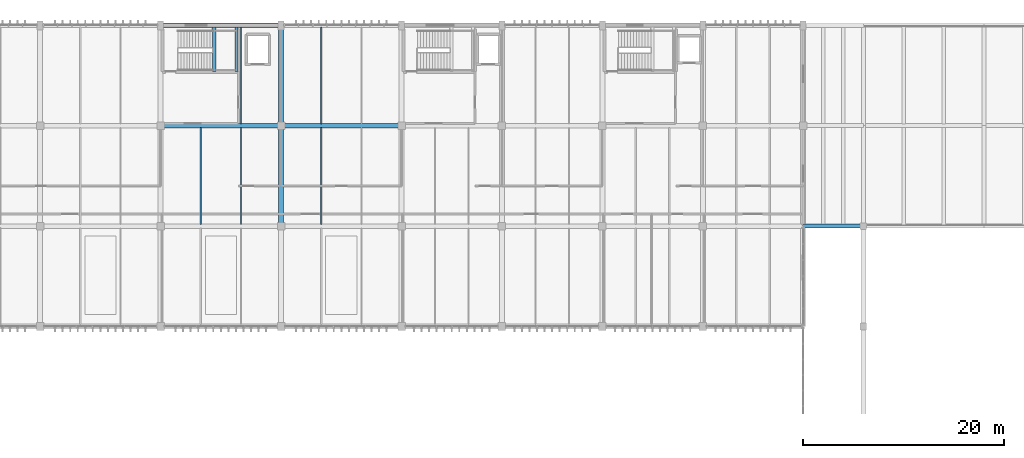
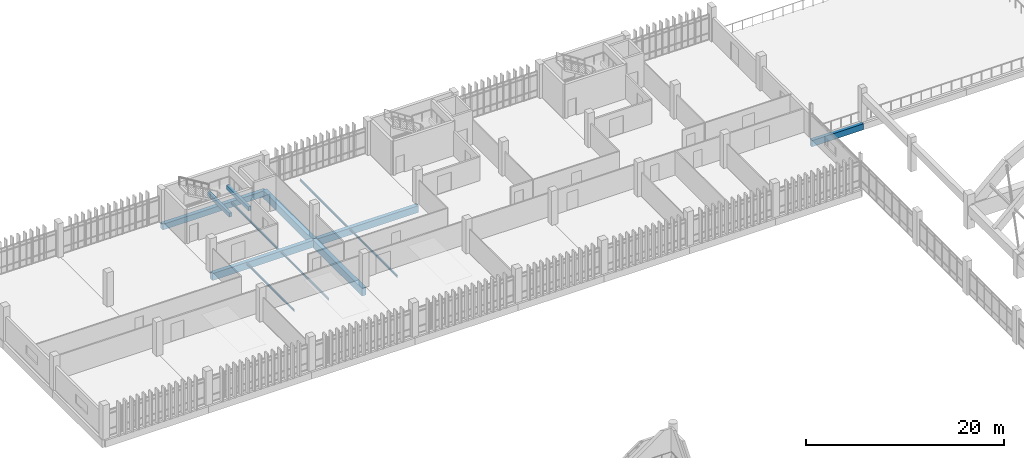
# One storey, part 50 of 111: 13 beams.
"""IFC4 building model written with IfcOpenShell, lengths in metres."""

from ifc_helpers import new_model, si_unit, direction, frame, origin, origin_2d, place, context, subcontext, project, spatial, rectangle, i_section, extrude, material, material_profile, profile_set, type_object, element, save


model = new_model("IFC4")

# Units and contexts
model_context = context("Model", 3, precision=1e-05, world=origin(), true_north=direction((0.0, 1.0)))
body_context = subcontext(model_context, "Body", "Model", "MODEL_VIEW")
ifc_project = project(units=[si_unit("LENGTHUNIT", "METRE"), si_unit("AREAUNIT", "SQUARE_METRE"), si_unit("VOLUMEUNIT", "CUBIC_METRE"), si_unit("PLANEANGLEUNIT", "RADIAN"), si_unit("MASSUNIT", "GRAM", prefix="KILO")], contexts=[model_context])

# Site, building, storey
site_placement = place(None, origin())
site = spatial("IfcSite", under=ifc_project, at=site_placement, CompositionType="ELEMENT")
building_placement = place(site_placement, origin())
building = spatial("IfcBuilding", under=site, at=building_placement, Name="Mersad Railyard Sports Hall", CompositionType="ELEMENT")
storey_placement = place(building_placement, frame((0.0, 0.0, 9.0)))
storey = spatial("IfcBuildingStorey", under=building, at=storey_placement, Name="L02", CompositionType="ELEMENT", Elevation=9.0)

# Beams
ifc_material_1 = material(Name="Concrete C40/50", Category="concrete")
ifc_material_profile_1 = material_profile(ifc_material_1, rectangle(XDim=0.39990234375, YDim=0.75, at=origin_2d()), Name="RC 400x750")
ifc_profile_set_1 = profile_set([ifc_material_profile_1], Name="Concrete C40/50")
beam_type_1 = type_object("IfcBeamType", Name="STR-BM-B01", PredefinedType="BEAM", material=ifc_profile_set_1)
beam_1_placement = place(storey_placement, frame((131.0, 95.0, -0.675048828125), z_axis=(1.0, 0.0, 0.0), x_axis=(0.0, 1.0, 0.0)))
element("IfcBeam", 1, at=beam_1_placement, inside=storey, type_object=beam_type_1, Name="Beam B01-1124", PredefinedType="BEAM", context=body_context, shape_type="SweptSolid", body=[
    extrude(rectangle(XDim=0.39990234375, YDim=0.75, at=origin_2d()), origin(), (0.0, 0.0, 1.0), 6.0),
])
ifc_material_profile_2 = material_profile(ifc_material_1, rectangle(XDim=0.449951171875, YDim=0.85009765625, at=origin_2d()), Name="RC 450x850")
ifc_profile_set_2 = profile_set([ifc_material_profile_2], Name="Concrete C40/50")
beam_type_2 = type_object("IfcBeamType", Name="STR-BM-B02", PredefinedType="BEAM", material=ifc_profile_set_2)
for number, where, z_axis, x_axis, name in (
    (2, (67.0, 105.0, -0.72509765625), (1.0, 0.0, 0.0), (0.0, 1.0, 0.0), "Beam B02-1083"),
    (3, (79.0, 105.0, -0.72509765625), (1.0, 0.0, 0.0), (0.0, 1.0, 0.0), "Beam B02-1084"),
):
    element("IfcBeam", number, at=place(storey_placement, frame(where, z_axis=z_axis, x_axis=x_axis)), inside=storey, type_object=beam_type_2, Name=name, PredefinedType="BEAM", context=body_context, shape_type="SweptSolid", body=[
        extrude(rectangle(XDim=0.449951171875, YDim=0.85009765625, at=origin_2d()), origin(), (0.0, 0.0, 1.0), 12.0),
    ])
ifc_material_2 = material(Name="Concrete C50/60", Category="concrete")
ifc_material_profile_3 = material_profile(ifc_material_2, rectangle(XDim=0.5, YDim=0.949951171875, at=origin_2d()), Name="RC 500x950")
ifc_profile_set_3 = profile_set([ifc_material_profile_3], Name="Concrete C50/60")
beam_type_3 = type_object("IfcBeamType", Name="STR-BM-B03", PredefinedType="BEAM", material=ifc_profile_set_3)
for number, where, z_axis, x_axis, name in (
    (4, (79.0, 95.0, -0.77490234375), (0.0, 1.0, 0.0), (-1.0, 0.0, 0.0), "Beam B03-1107"),
    (5, (79.0, 105.0, -0.77490234375), (0.0, 1.0, 0.0), (-1.0, 0.0, 0.0), "Beam B03-1108"),
):
    element("IfcBeam", number, at=place(storey_placement, frame(where, z_axis=z_axis, x_axis=x_axis)), inside=storey, type_object=beam_type_3, Name=name, PredefinedType="BEAM", context=body_context, shape_type="SweptSolid", body=[
        extrude(rectangle(XDim=0.5, YDim=0.949951171875, at=origin_2d()), origin(), (0.0, 0.0, 1.0), 10.0),
    ])
ifc_material_profile_4 = material_profile(ifc_material_1, rectangle(XDim=0.300048828125, YDim=0.5, at=origin_2d()), Name="RC 300x500")
ifc_profile_set_4 = profile_set([ifc_material_profile_4], Name="Concrete C40/50")
beam_type_4 = type_object("IfcBeamType", Name="STR-BM-LN01", PredefinedType="LINTEL", material=ifc_profile_set_4)
for number, where, z_axis, x_axis, name in (
    (6, (72.345947265625, 110.3798828125, 1.669921875), (0.0, 1.0, 0.0), (-1.0, 0.0, 0.0), "Stair ST01D landing beam W"),
    (7, (74.570068359375, 110.3798828125, 1.669921875), (0.0, 1.0, 0.0), (-1.0, 0.0, 0.0), "Stair ST01D landing beam E"),
):
    element("IfcBeam", number, at=place(storey_placement, frame(where, z_axis=z_axis, x_axis=x_axis)), inside=storey, type_object=beam_type_4, Name=name, PredefinedType="LINTEL", context=body_context, shape_type="SweptSolid", body=[
        extrude(rectangle(XDim=0.300048828125, YDim=0.5, at=origin_2d()), origin(), (0.0, 0.0, 1.0), 4.43017578125),
    ])
ifc_material_3 = material(Name="Steel S355", Category="steel")
ifc_material_profile_5 = material_profile(ifc_material_3, i_section(OverallWidth=0.1201171875, OverallDepth=0.239990234375, WebThickness=0.006103515625, FlangeThickness=0.009765625, at=origin_2d()), Name="IPE 240")
ifc_profile_set_5 = profile_set([ifc_material_profile_5], Name="Steel S355")
beam_type_5 = type_object("IfcBeamType", Name="STR-BM-SB03", PredefinedType="BEAM", material=ifc_profile_set_5)
for number, where, z_axis, x_axis, name in (
    (8, (71.0, 95.179931640625, -0.419921875), (0.0, 1.0, 0.0), (-1.0, 0.0, 0.0), "Beam SB03-1163"),
    (9, (75.0, 95.179931640625, -0.419921875), (0.0, 1.0, 0.0), (-1.0, 0.0, 0.0), "Beam SB03-1164"),
    (10, (75.0, 105.179931640625, -0.419921875), (0.0, 1.0, 0.0), (-1.0, 0.0, 0.0), "Beam SB03-1165"),
    (11, (83.0, 95.179931640625, -0.419921875), (0.0, 1.0, 0.0), (-1.0, 0.0, 0.0), "Beam SB03-1168"),
    (12, (83.0, 105.179931640625, -0.419921875), (0.0, 1.0, 0.0), (-1.0, 0.0, 0.0), "Beam SB03-1170"),
):
    element("IfcBeam", number, at=place(storey_placement, frame(where, z_axis=z_axis, x_axis=x_axis)), inside=storey, type_object=beam_type_5, Name=name, PredefinedType="BEAM", context=body_context, shape_type="SweptSolid", body=[
        extrude(i_section(OverallWidth=0.1201171875, OverallDepth=0.239990234375, WebThickness=0.006103515625, FlangeThickness=0.009765625, at=origin_2d()), origin(), (0.0, 0.0, 1.0), 9.64013671875),
    ])
ifc_material_4 = material(Name="Architectural concrete C40/50", Category="concrete")
ifc_material_profile_6 = material_profile(ifc_material_4, rectangle(XDim=0.449951171875, YDim=0.699951171875, at=origin_2d()), Name="RC 450x700")
ifc_profile_set_6 = profile_set([ifc_material_profile_6], Name="Architectural concrete C40/50")
beam_type_6 = type_object("IfcBeamType", Name="STR-BM-SP01", PredefinedType="SPANDREL", material=ifc_profile_set_6)
beam_2_placement = place(storey_placement, frame((67.0, 115.0, -0.64990234375), z_axis=(1.0, 0.0, 0.0), x_axis=(0.0, 1.0, 0.0)))
element("IfcBeam", 13, at=beam_2_placement, inside=storey, type_object=beam_type_6, Name="Beam SP01-1091", PredefinedType="SPANDREL", context=body_context, shape_type="SweptSolid", body=[
    extrude(rectangle(XDim=0.449951171875, YDim=0.699951171875, at=origin_2d()), origin(), (0.0, 0.0, 1.0), 12.0),
])

save(model, "model.ifc")
